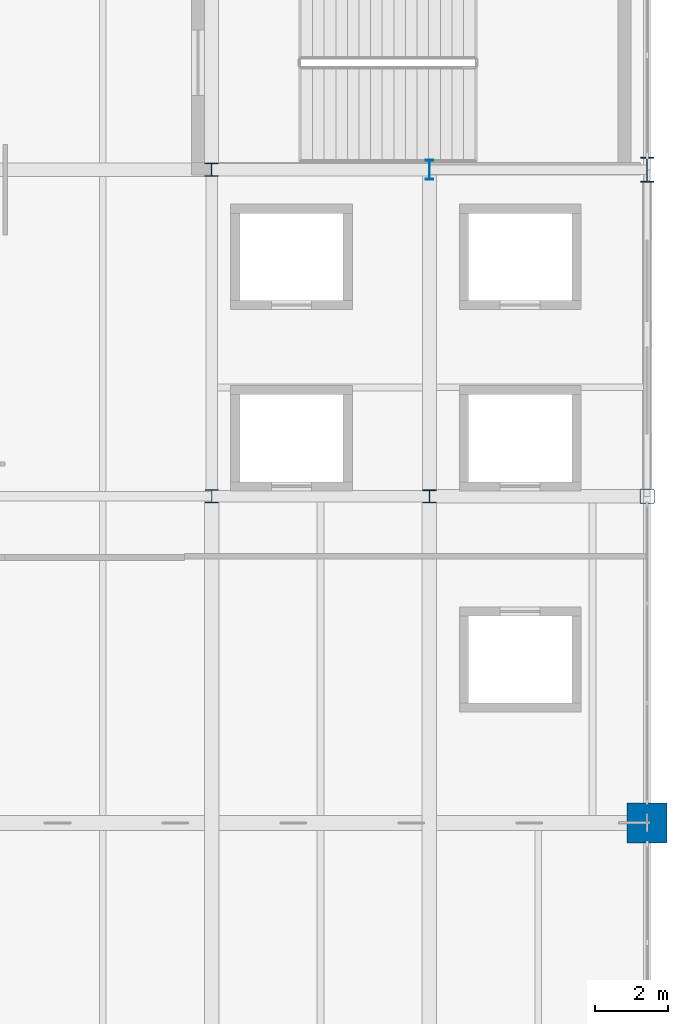
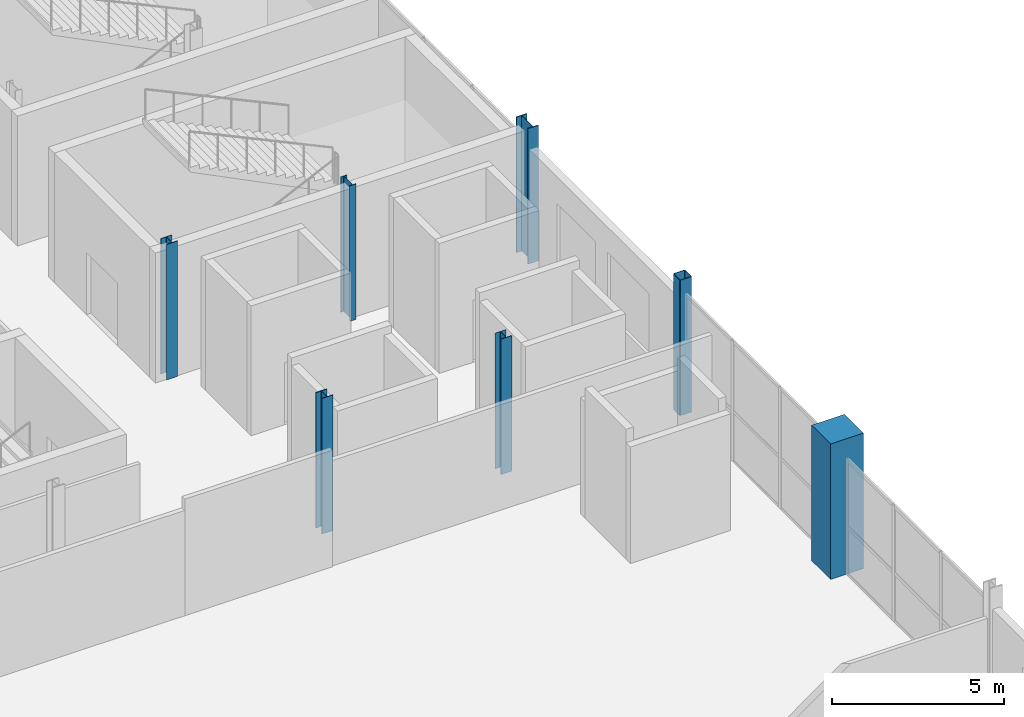
# One storey, part 5 of 69: 7 columns.
"""IFC4 building model written with IfcOpenShell, lengths in metres."""

from ifc_helpers import new_model, si_unit, direction, frame, origin, origin_2d, place, context, subcontext, project, spatial, rectangle, hollow_rectangle, i_section, extrude, material, material_profile, profile_set, type_object, element, save


model = new_model("IFC4")

# Units and contexts
model_context = context("Model", 3, precision=1e-05, world=origin(), true_north=direction((0.0, 1.0)))
body_context = subcontext(model_context, "Body", "Model", "MODEL_VIEW")
ifc_project = project(units=[si_unit("LENGTHUNIT", "METRE"), si_unit("AREAUNIT", "SQUARE_METRE"), si_unit("VOLUMEUNIT", "CUBIC_METRE"), si_unit("PLANEANGLEUNIT", "RADIAN"), si_unit("MASSUNIT", "GRAM", prefix="KILO")], contexts=[model_context])

# Site, building, storey
site_placement = place(None, origin())
site = spatial("IfcSite", under=ifc_project, at=site_placement, CompositionType="ELEMENT")
building_placement = place(site_placement, origin())
building = spatial("IfcBuilding", under=site, at=building_placement, Name="Qamarlyn Nura Convention Centre", CompositionType="ELEMENT")
storey_placement = place(building_placement, frame((0.0, 0.0, 15.60009765625)))
storey = spatial("IfcBuildingStorey", under=building, at=storey_placement, Name="L03", CompositionType="ELEMENT", Elevation=15.60009765625)

# Columns
ifc_material_1 = material(Name="Steel ASTM A500 Grade C", Category="steel")
ifc_material_profile_1 = material_profile(ifc_material_1, hollow_rectangle(XDim=0.39990234375, YDim=0.39990234375, WallThickness=0.01611328125, InnerFilletRadius=0.01611328125, OuterFilletRadius=0.031982421875, at=origin_2d()), Name="HSS400X400X16")
ifc_profile_set_1 = profile_set([ifc_material_profile_1], Name="Steel ASTM A500 Grade C")
column_type_1 = type_object("IfcColumnType", Name="COL-HSS-1", PredefinedType="COLUMN", material=ifc_profile_set_1)
column_1_placement = place(storey_placement, frame((192.0, 54.0, 0.0), z_axis=(0.0, 0.0, 1.0), x_axis=(1.0, 0.0, 0.0)))
element("IfcColumn", 1, at=column_1_placement, inside=storey, type_object=column_type_1, Name="L03 column 18/G", PredefinedType="COLUMN", context=body_context, shape_type="SweptSolid", body=[
    extrude(hollow_rectangle(XDim=0.39990234375, YDim=0.39990234375, WallThickness=0.01611328125, InnerFilletRadius=0.01611328125, OuterFilletRadius=0.031982421875, at=origin_2d()), origin(), (0.0, 0.0, 1.0), 4.7998046875),
])
ifc_material_2 = material(Name="Concrete C50/60", Category="concrete")
ifc_material_profile_2 = material_profile(ifc_material_2, rectangle(XDim=1.10009765625, YDim=1.10009765625, at=origin_2d()), Name="RC 1100x1100")
ifc_profile_set_2 = profile_set([ifc_material_profile_2], Name="Concrete C50/60")
column_type_2 = type_object("IfcColumnType", Name="COL-MEGA-2", PredefinedType="COLUMN", material=ifc_profile_set_2)
column_2_placement = place(storey_placement, frame((192.0, 45.0, 0.0), z_axis=(0.0, 0.0, 1.0), x_axis=(1.0, 0.0, 0.0)))
element("IfcColumn", 2, at=column_2_placement, inside=storey, type_object=column_type_2, Name="L03 column 18/F", PredefinedType="COLUMN", context=body_context, shape_type="SweptSolid", body=[
    extrude(rectangle(XDim=1.10009765625, YDim=1.10009765625, at=origin_2d()), origin(), (0.0, 0.0, 1.0), 4.7998046875),
])
ifc_material_3 = material(Name="Steel ASTM A992", Category="steel")
ifc_material_profile_3 = material_profile(ifc_material_3, i_section(OverallWidth=0.3740234375, OverallDepth=0.3720703125, WebThickness=0.016357421875, FlangeThickness=0.026123046875, FilletRadius=0.01611328125, at=origin_2d()), Name="W360X196")
ifc_profile_set_3 = profile_set([ifc_material_profile_3], Name="Steel ASTM A992")
column_type_3 = type_object("IfcColumnType", Name="COL-WING-2", PredefinedType="COLUMN", material=ifc_profile_set_3)
column_3_placement = place(storey_placement, frame((180.0, 54.0, 0.0), z_axis=(0.0, 0.0, 1.0), x_axis=(1.0, 0.0, 0.0)))
element("IfcColumn", 3, at=column_3_placement, inside=storey, type_object=column_type_3, Name="L03 column 16/G", PredefinedType="COLUMN", context=body_context, shape_type="SweptSolid", body=[
    extrude(i_section(OverallWidth=0.3740234375, OverallDepth=0.3720703125, WebThickness=0.016357421875, FlangeThickness=0.026123046875, FilletRadius=0.01611328125, at=origin_2d()), origin(), (0.0, 0.0, 1.0), 4.7998046875),
])
ifc_material_profile_4 = material_profile(ifc_material_3, i_section(OverallWidth=0.368896484375, OverallDepth=0.35595703125, WebThickness=0.01123046875, FlangeThickness=0.01806640625, FilletRadius=0.014892578125, at=origin_2d()), Name="W360X134")
ifc_profile_set_4 = profile_set([ifc_material_profile_4], Name="Steel ASTM A992")
column_type_4 = type_object("IfcColumnType", Name="COL-WING-3", PredefinedType="COLUMN", material=ifc_profile_set_4)
for number, where, z_axis, x_axis, name in (
    (4, (180.0, 63.0, 0.0), (0.0, 0.0, 1.0), (1.0, 0.0, 0.0), "L03 column 16/H"),
    (5, (186.0, 54.0, 0.0), (0.0, 0.0, 1.0), (1.0, 0.0, 0.0), "L03 column 17/G"),
):
    element("IfcColumn", number, at=place(storey_placement, frame(where, z_axis=z_axis, x_axis=x_axis)), inside=storey, type_object=column_type_4, Name=name, PredefinedType="COLUMN", context=body_context, shape_type="SweptSolid", body=[
        extrude(i_section(OverallWidth=0.368896484375, OverallDepth=0.35595703125, WebThickness=0.01123046875, FlangeThickness=0.01806640625, FilletRadius=0.014892578125, at=origin_2d()), origin(), (0.0, 0.0, 1.0), 4.7998046875),
    ])
ifc_material_profile_5 = material_profile(ifc_material_3, i_section(OverallWidth=0.35498046875, OverallDepth=0.695068359375, WebThickness=0.015380859375, FlangeThickness=0.02490234375, FilletRadius=0.01806640625, at=origin_2d()), Name="W690X217")
ifc_profile_set_5 = profile_set([ifc_material_profile_5], Name="Steel ASTM A992")
column_type_5 = type_object("IfcColumnType", Name="COL-WING-5", PredefinedType="COLUMN", material=ifc_profile_set_5)
column_4_placement = place(storey_placement, frame((192.0, 63.0, 0.0), z_axis=(0.0, 0.0, 1.0), x_axis=(1.0, 0.0, 0.0)))
element("IfcColumn", 6, at=column_4_placement, inside=storey, type_object=column_type_5, Name="L03 column 18/H", PredefinedType="COLUMN", context=body_context, shape_type="SweptSolid", body=[
    extrude(i_section(OverallWidth=0.35498046875, OverallDepth=0.695068359375, WebThickness=0.015380859375, FlangeThickness=0.02490234375, FilletRadius=0.01806640625, at=origin_2d()), origin(), (0.0, 0.0, 1.0), 4.7998046875),
])
ifc_material_profile_6 = material_profile(ifc_material_3, i_section(OverallWidth=0.2109375, OverallDepth=0.5390625, WebThickness=0.01171875, FlangeThickness=0.018798828125, FilletRadius=0.013916015625, at=origin_2d()), Name="W530X109")
ifc_profile_set_6 = profile_set([ifc_material_profile_6], Name="Steel ASTM A992")
column_type_6 = type_object("IfcColumnType", Name="COL-WING-7", PredefinedType="COLUMN", material=ifc_profile_set_6)
column_5_placement = place(storey_placement, frame((186.0, 63.0, 0.0), z_axis=(0.0, 0.0, 1.0), x_axis=(1.0, 0.0, 0.0)))
element("IfcColumn", 7, at=column_5_placement, inside=storey, type_object=column_type_6, Name="L03 column 17/H", PredefinedType="COLUMN", context=body_context, shape_type="SweptSolid", body=[
    extrude(i_section(OverallWidth=0.2109375, OverallDepth=0.5390625, WebThickness=0.01171875, FlangeThickness=0.018798828125, FilletRadius=0.013916015625, at=origin_2d()), origin(), (0.0, 0.0, 1.0), 4.7998046875),
])

save(model, "model.ifc")
